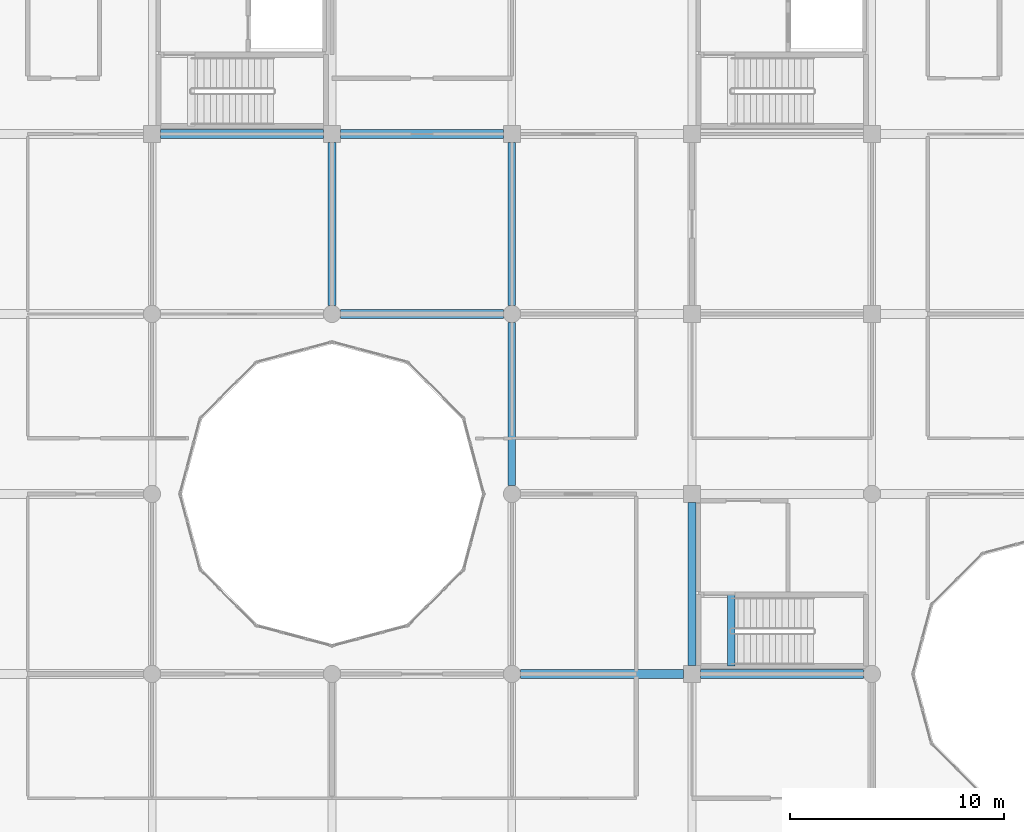
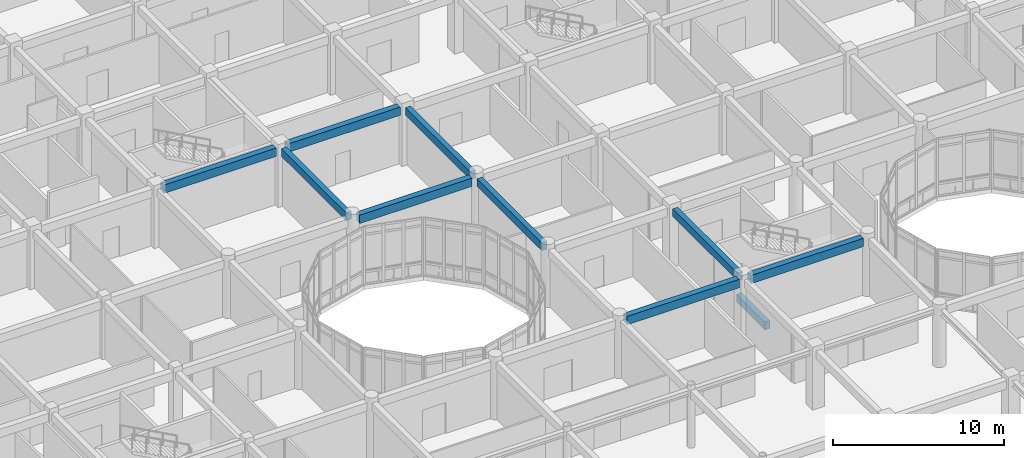
# One storey, part 50 of 144: 10 beams.
"""IFC4 building model written with IfcOpenShell, lengths in metres."""

from ifc_helpers import new_model, si_unit, direction, frame, origin, origin_2d, place, context, subcontext, project, spatial, rectangle, extrude, material, material_profile, profile_set, type_object, element, save


model = new_model("IFC4")

# Units and contexts
model_context = context("Model", 3, precision=1e-05, world=origin(), true_north=direction((0.0, 1.0)))
body_context = subcontext(model_context, "Body", "Model", "MODEL_VIEW")
ifc_project = project(units=[si_unit("LENGTHUNIT", "METRE"), si_unit("AREAUNIT", "SQUARE_METRE"), si_unit("VOLUMEUNIT", "CUBIC_METRE"), si_unit("PLANEANGLEUNIT", "RADIAN"), si_unit("MASSUNIT", "GRAM", prefix="KILO")], contexts=[model_context])

# Site, building, storey
site_placement = place(None, origin())
site = spatial("IfcSite", under=ifc_project, at=site_placement, CompositionType="ELEMENT")
building_placement = place(site_placement, origin())
building = spatial("IfcBuilding", under=site, at=building_placement, Name="Bramfleet General Hospital", CompositionType="ELEMENT")
storey_placement = place(building_placement, frame((0.0, 0.0, 4.800048828125)))
storey = spatial("IfcBuildingStorey", under=building, at=storey_placement, Name="L01", CompositionType="ELEMENT", Elevation=4.800048828125)

# Beams
ifc_material = material(Name="Concrete C35/45", Category="concrete")
ifc_material_profile_1 = material_profile(ifc_material, rectangle(XDim=0.35009765625, YDim=0.550048828125, at=origin_2d()), Name="RC BM 550x350")
ifc_profile_set_1 = profile_set([ifc_material_profile_1], Name="Concrete C35/45")
beam_type_1 = type_object("IfcBeamType", Name="BM-RC550", PredefinedType="BEAM", material=ifc_profile_set_1)
for number, where, z_axis, x_axis, name in (
    (1, (84.0, 84.39990234375, 3.875), (0.0, 1.0, 0.0), (-1.0, 0.0, 0.0), "L01 Grid Beam Y 10-10"),
    (2, (92.39990234375, 76.0, 3.875), (0.0, 1.0, 0.0), (-1.0, 0.0, 0.0), "L01 Grid Beam Y 11-09"),
    (3, (92.39990234375, 84.39990234375, 3.875), (0.0, 1.0, 0.0), (-1.0, 0.0, 0.0), "L01 Grid Beam Y 11-10"),
):
    element("IfcBeam", number, at=place(storey_placement, frame(where, z_axis=z_axis, x_axis=x_axis)), inside=storey, type_object=beam_type_1, Name=name, PredefinedType="BEAM", context=body_context, shape_type="SweptSolid", body=[
        extrude(rectangle(XDim=0.35009765625, YDim=0.550048828125, at=origin_2d()), origin(), (0.0, 0.0, 1.0), 7.60009765625),
    ])
beam_1_placement = place(storey_placement, frame((100.800048828125, 67.60009765625, 3.875), z_axis=(0.0, 1.0, 0.0), x_axis=(-1.0, 0.0, 0.0)))
element("IfcBeam", 4, at=beam_1_placement, inside=storey, type_object=beam_type_1, Name="L01 Grid Beam Y 12-08", PredefinedType="BEAM", context=body_context, shape_type="SweptSolid", body=[
    extrude(rectangle(XDim=0.35009765625, YDim=0.550048828125, at=origin_2d()), origin(), (0.0, 0.0, 1.0), 7.599853515625),
])
beam_2_placement = place(storey_placement, frame((102.639892578125, 67.580078125, -0.275146484375), z_axis=(0.0, 1.0, 0.0), x_axis=(-1.0, 0.0, 0.0)))
element("IfcBeam", 5, at=beam_2_placement, inside=storey, type_object=beam_type_1, Name="L01 C11 Stairwell Trimmer Beam", PredefinedType="BEAM", context=body_context, shape_type="SweptSolid", body=[
    extrude(rectangle(XDim=0.35009765625, YDim=0.550048828125, at=origin_2d()), origin(), (0.0, 0.0, 1.0), 3.31982421875),
])
ifc_material_profile_2 = material_profile(ifc_material, rectangle(XDim=0.39990234375, YDim=0.60009765625, at=origin_2d()), Name="RC BM 600x400")
ifc_profile_set_2 = profile_set([ifc_material_profile_2], Name="Concrete C35/45")
beam_type_2 = type_object("IfcBeamType", Name="BM-RC600", PredefinedType="BEAM", material=ifc_profile_set_2)
for number, where, z_axis, x_axis, name in (
    (6, (76.0, 92.39990234375, 3.849853515625), (1.0, 0.0, 0.0), (0.0, 1.0, 0.0), "L01 Grid Beam X 09-11"),
    (7, (84.39990234375, 84.0, 3.849853515625), (1.0, 0.0, 0.0), (0.0, 1.0, 0.0), "L01 Grid Beam X 10-10"),
    (8, (84.39990234375, 92.39990234375, 3.849853515625), (1.0, 0.0, 0.0), (0.0, 1.0, 0.0), "L01 Grid Beam X 10-11"),
):
    element("IfcBeam", number, at=place(storey_placement, frame(where, z_axis=z_axis, x_axis=x_axis)), inside=storey, type_object=beam_type_2, Name=name, PredefinedType="BEAM", context=body_context, shape_type="SweptSolid", body=[
        extrude(rectangle(XDim=0.39990234375, YDim=0.60009765625, at=origin_2d()), origin(), (0.0, 0.0, 1.0), 7.60009765625),
    ])
beam_3_placement = place(storey_placement, frame((92.800048828125, 67.199951171875, 3.849853515625), z_axis=(1.0, 0.0, 0.0), x_axis=(0.0, 1.0, 0.0)))
element("IfcBeam", 9, at=beam_3_placement, inside=storey, type_object=beam_type_2, Name="L01 Grid Beam X 11-08", PredefinedType="BEAM", context=body_context, shape_type="SweptSolid", body=[
    extrude(rectangle(XDim=0.39990234375, YDim=0.60009765625, at=origin_2d()), origin(), (0.0, 0.0, 1.0), 7.599853515625),
])
beam_4_placement = place(storey_placement, frame((101.199951171875, 67.199951171875, 3.849853515625), z_axis=(1.0, 0.0, 0.0), x_axis=(0.0, 1.0, 0.0)))
element("IfcBeam", 10, at=beam_4_placement, inside=storey, type_object=beam_type_2, Name="L01 Grid Beam X 12-08", PredefinedType="BEAM", context=body_context, shape_type="SweptSolid", body=[
    extrude(rectangle(XDim=0.39990234375, YDim=0.60009765625, at=origin_2d()), origin(), (0.0, 0.0, 1.0), 7.60009765625),
])

save(model, "model.ifc")
